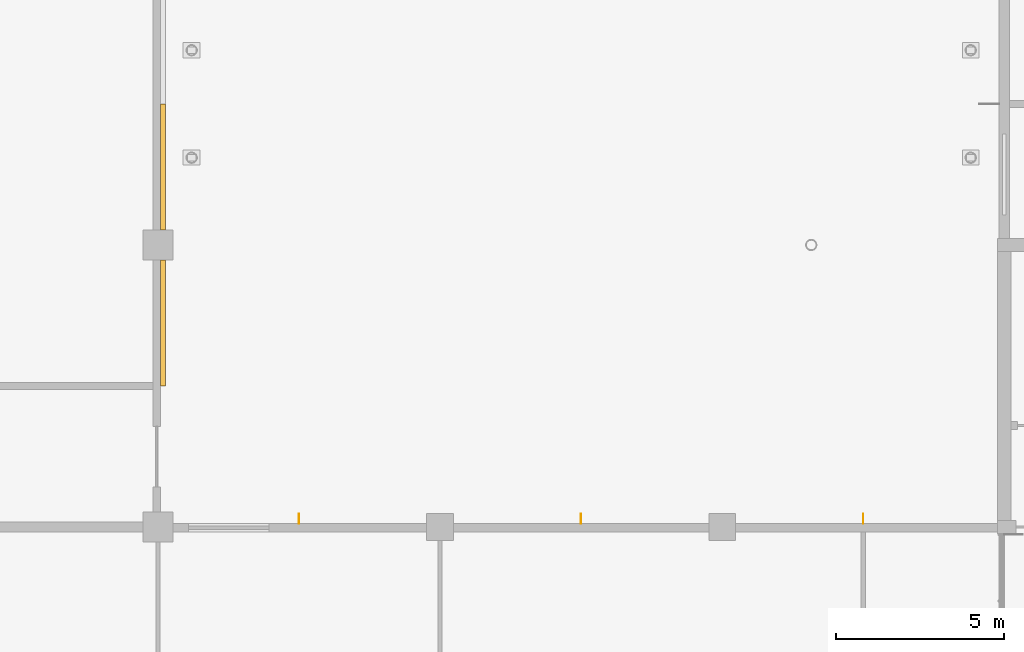
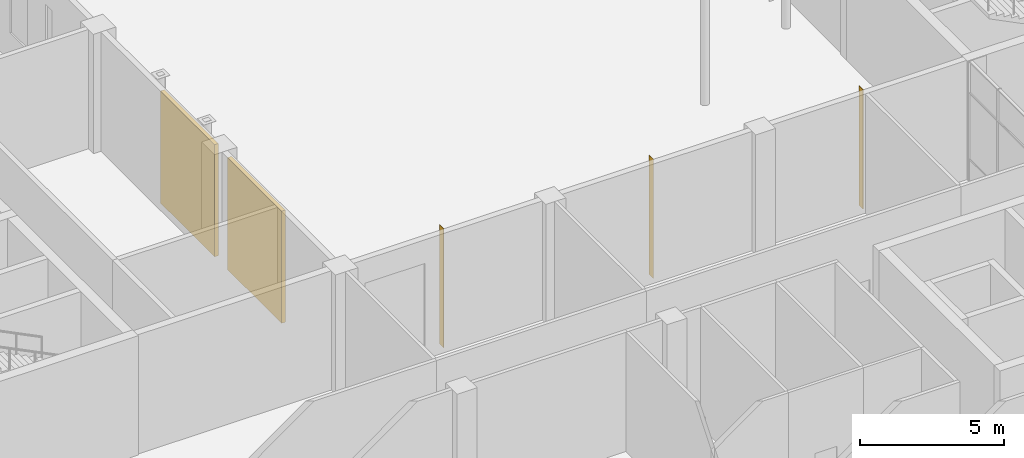
# One storey, part 61 of 76: 5 shading devices.
"""IFC4 building model written with IfcOpenShell, lengths in metres."""

from ifc_helpers import new_model, si_unit, direction, frame, origin, origin_2d, place, context, subcontext, project, spatial, rectangle, extrude, material, layer, layer_set, type_object, element, save


model = new_model("IFC4")

# Units and contexts
model_context = context("Model", 3, precision=1e-05, world=origin(), true_north=direction((0.0, 1.0)))
body_context = subcontext(model_context, "Body", "Model", "MODEL_VIEW")
ifc_project = project(units=[si_unit("LENGTHUNIT", "METRE"), si_unit("AREAUNIT", "SQUARE_METRE"), si_unit("VOLUMEUNIT", "CUBIC_METRE"), si_unit("PLANEANGLEUNIT", "RADIAN"), si_unit("MASSUNIT", "GRAM", prefix="KILO")], contexts=[model_context])

# Site, building, storey
site_placement = place(None, origin())
site = spatial("IfcSite", under=ifc_project, at=site_placement, CompositionType="ELEMENT")
building_placement = place(site_placement, origin())
building = spatial("IfcBuilding", under=site, at=building_placement, Name="Hlaing Beacon Police Headquarters", CompositionType="ELEMENT")
storey_placement = place(building_placement, origin())
storey = spatial("IfcBuildingStorey", under=building, at=storey_placement, Name="L00", CompositionType="ELEMENT", Elevation=0.0)

# Shading devices
ifc_material_1 = material(Name="Aluminium 6063-T5 anodised", Category="aluminium")
ifc_layer_1 = layer(ifc_material_1, 0.011962890625)
ifc_layer_set_1 = layer_set([ifc_layer_1], Name="Aluminium 6063-T5 anodised")
shading_device_type_1 = type_object("IfcShadingDeviceType", Name="Aluminium fin 12x300", PredefinedType="JALOUSIE", material=ifc_layer_set_1)
for number, where, z_axis, x_axis, name in (
    (1, (54.60009765625, 33.85009765625, 0.0), (0.0, 0.0, 1.0), (-1.0, 0.0, 0.0), "Fin L00 N001"),
    (2, (46.199951171875, 33.85009765625, 0.0), (0.0, 0.0, 1.0), (-1.0, 0.0, 0.0), "Fin L00 N002"),
    (3, (37.800048828125, 33.85009765625, 0.0), (0.0, 0.0, 1.0), (-1.0, 0.0, 0.0), "Fin L00 N003"),
):
    element("IfcShadingDevice", number, at=place(storey_placement, frame(where, z_axis=z_axis, x_axis=x_axis)), inside=storey, type_object=shading_device_type_1, Name=name, PredefinedType="JALOUSIE", context=body_context, shape_type="SweptSolid", body=[
        extrude(rectangle(XDim=0.011962890625, YDim=0.300048828125, at=origin_2d()), origin(), (0.0, 0.0, 1.0), 5.050048828125),
    ])
ifc_material_2 = material(Name="Perforated aluminium", Category="aluminium")
ifc_layer_2 = layer(ifc_material_2, 0.14990234375)
ifc_layer_set_2 = layer_set([ifc_layer_2], Name="Perforated aluminium")
shading_device_type_2 = type_object("IfcShadingDeviceType", Name="Perforated screen panel 150", PredefinedType="JALOUSIE", material=ifc_layer_set_2)
for number, where, z_axis, x_axis, name in (
    (4, (33.75, 39.675048828125, 0.0), (0.0, 0.0, 1.0), (0.0, 1.0, 0.0), "Screen L00 E001"),
    (5, (33.75, 44.324951171875, 0.0), (0.0, 0.0, 1.0), (0.0, 1.0, 0.0), "Screen L00 E002"),
):
    element("IfcShadingDevice", number, at=place(storey_placement, frame(where, z_axis=z_axis, x_axis=x_axis)), inside=storey, type_object=shading_device_type_2, Name=name, PredefinedType="JALOUSIE", context=body_context, shape_type="SweptSolid", body=[
        extrude(rectangle(XDim=3.75, YDim=0.14990234375, at=origin_2d()), origin(), (0.0, 0.0, 1.0), 4.75),
    ])

save(model, "model.ifc")
